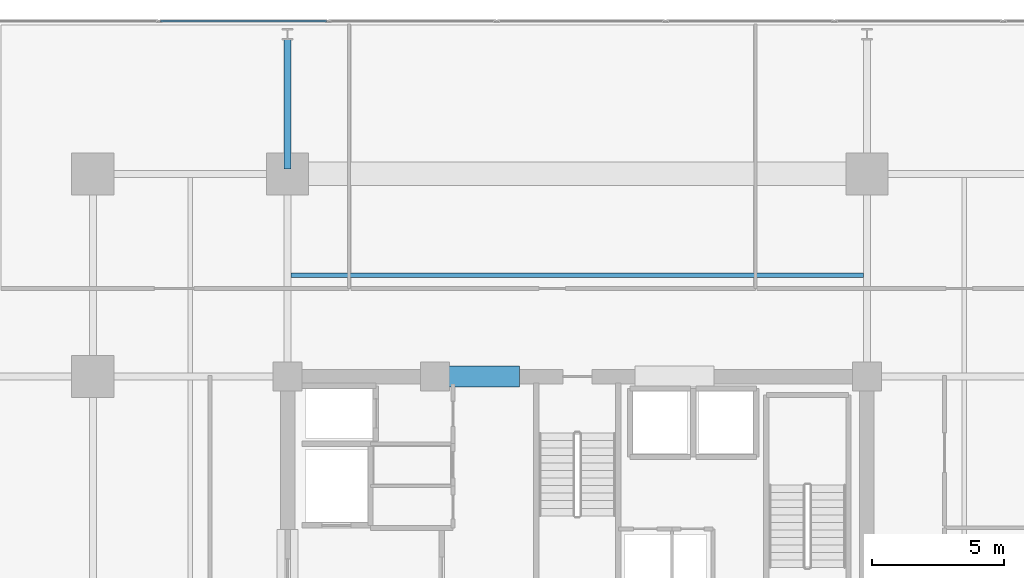
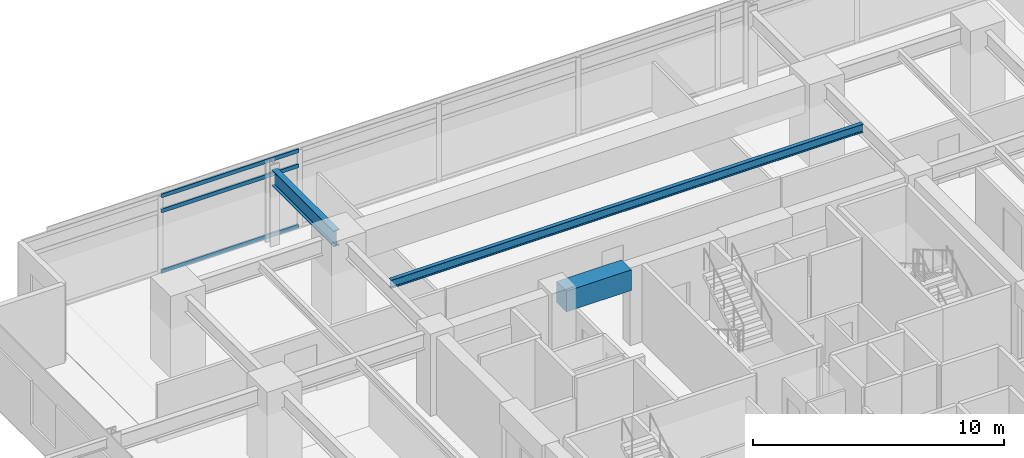
# One storey, part 7 of 23: 3 beams, 3 members, 1 element without a shape of its own.
"""IFC4 building model written with IfcOpenShell, lengths in metres."""

from ifc_helpers import new_model, si_unit, direction, frame, origin, origin_2d, place, context, subcontext, project, spatial, rectangle, hollow_rectangle, i_section, extrude, material, material_profile, profile_set, type_object, element, aggregate, save


model = new_model("IFC4")

# Units and contexts
model_context = context("Model", 3, precision=1e-05, world=origin(), true_north=direction((0.0, 1.0)))
body_context = subcontext(model_context, "Body", "Model", "MODEL_VIEW")
ifc_project = project(units=[si_unit("LENGTHUNIT", "METRE"), si_unit("AREAUNIT", "SQUARE_METRE"), si_unit("VOLUMEUNIT", "CUBIC_METRE"), si_unit("PLANEANGLEUNIT", "RADIAN"), si_unit("MASSUNIT", "GRAM", prefix="KILO")], contexts=[model_context])

# Site, building, storey
site_placement = place(None, origin())
site = spatial("IfcSite", under=ifc_project, at=site_placement, CompositionType="ELEMENT")
building_placement = place(site_placement, origin())
building = spatial("IfcBuilding", under=site, at=building_placement, Name="Kovane Verandah Tower", CompositionType="ELEMENT")
storey_placement = place(building_placement, frame((0.0, 0.0, 136.39990234375)))
storey = spatial("IfcBuildingStorey", under=building, at=storey_placement, Name="L31", CompositionType="ELEMENT", Elevation=136.39990234375)

# Beams
ifc_material_1 = material(Name="Concrete C60/75", Category="concrete")
ifc_material_profile_1 = material_profile(ifc_material_1, rectangle(XDim=0.800048828125, YDim=1.0, at=origin_2d()), Name="RCB800x1000")
ifc_profile_set_1 = profile_set([ifc_material_profile_1], Name="Concrete C60/75")
beam_type_1 = type_object("IfcBeamType", Name="BM-LINTEL-800x1000", PredefinedType="LINTEL", material=ifc_profile_set_1)
beam_1_placement = place(storey_placement, frame((34.800048828125, 36.5, 3.275146484375), z_axis=(1.0, 0.0, 0.0), x_axis=(0.0, 1.0, 0.0)))
element("IfcBeam", 1, at=beam_1_placement, inside=storey, type_object=beam_type_1, Name="L31 Core Coupling Lintel CL-N1", PredefinedType="LINTEL", context=body_context, shape_type="SweptSolid", body=[
    extrude(rectangle(XDim=0.800048828125, YDim=1.0, at=origin_2d()), origin(), (0.0, 0.0, 1.0), 3.0),
])
ifc_material_2 = material(Name="Steel S355", Category="steel")
ifc_material_profile_2 = material_profile(ifc_material_2, i_section(OverallWidth=0.26806640625, OverallDepth=0.769775390625, WebThickness=0.015625, FlangeThickness=0.025390625, FilletRadius=0.0166015625, at=origin_2d()), Name="UB762x267x197")
ifc_profile_set_2 = profile_set([ifc_material_profile_2], Name="Steel S355")
beam_type_2 = type_object("IfcBeamType", Name="BM-UB762x197", PredefinedType="BEAM", material=ifc_profile_set_2)
beam_2_placement = place(storey_placement, frame((29.0, 44.3798828125, 3.375244140625), z_axis=(0.0, 1.0, 0.0), x_axis=(-1.0, 0.0, 0.0)))
element("IfcBeam", 2, at=beam_2_placement, inside=storey, type_object=beam_type_2, Name="L31 Primary Tower Girder G-VN1", PredefinedType="BEAM", context=body_context, shape_type="SweptSolid", body=[
    extrude(i_section(OverallWidth=0.26806640625, OverallDepth=0.769775390625, WebThickness=0.015625, FlangeThickness=0.025390625, FilletRadius=0.0166015625, at=origin_2d()), origin(), (0.0, 0.0, 1.0), 4.940185546875),
])

# Curtain wall, members
ifc_material_3 = material(Name="Champagne Anodised Aluminium Frame with Low-E Clear Laminated Glass", Category="aluminium")
curtain_wall_type = type_object("IfcCurtainWallType", Name="CW-SYS-03-MID", PredefinedType="NOTDEFINED", material=ifc_material_3)
curtain_wall_placement = place(storey_placement, origin())
curtain_wall = element("IfcCurtainWall", 3, at=curtain_wall_placement, inside=storey, type_object=curtain_wall_type, Name="L31 N Unitised Curtain Wall", PredefinedType="NOTDEFINED")
ifc_material_4 = material(Name="Champagne Anodised Aluminium 6063-T6", Category="aluminium")
ifc_material_profile_3 = material_profile(ifc_material_4, hollow_rectangle(XDim=0.0849609375, YDim=0.18994140625, WallThickness=0.00390625, at=origin_2d()), Name="AL85x190x4")
ifc_profile_set_3 = profile_set([ifc_material_profile_3], Name="Champagne Anodised Aluminium 6063-T6")
member_type = type_object("IfcMemberType", Name="CW-TRN-85x190", PredefinedType="USERDEFINED", material=ifc_profile_set_3)
member_1_placement = place(storey_placement, frame((30.4853515625, 50.00048828125, 0.050048828125), z_axis=(-1.0, 0.0, 0.0), x_axis=(0.0, -1.0, 0.0)))
member_1 = element("IfcMember", 4, at=member_1_placement, type_object=member_type, Name="L31 N Unitised Curtain Wall Transom TB Bay 6", ObjectType="TRANSOM", PredefinedType="USERDEFINED", context=body_context, shape_type="SweptSolid", body=[
    extrude(hollow_rectangle(XDim=0.0849609375, YDim=0.18994140625, WallThickness=0.00390625, at=origin_2d()), origin(), (0.0, 0.0, 1.0), 6.310791015625),
])
member_2_placement = place(storey_placement, frame((30.4853515625, 50.00048828125, 2.9951171875), z_axis=(-1.0, 0.0, 0.0), x_axis=(0.0, -1.0, 0.0)))
member_2 = element("IfcMember", 5, at=member_2_placement, type_object=member_type, Name="L31 N Unitised Curtain Wall Transom TM Bay 6", ObjectType="TRANSOM", PredefinedType="USERDEFINED", context=body_context, shape_type="SweptSolid", body=[
    extrude(hollow_rectangle(XDim=0.0849609375, YDim=0.18994140625, WallThickness=0.00390625, at=origin_2d()), origin(), (0.0, 0.0, 1.0), 6.310791015625),
])
member_3_placement = place(storey_placement, frame((30.4853515625, 50.00048828125, 3.72509765625), z_axis=(-1.0, 0.0, 0.0), x_axis=(0.0, -1.0, 0.0)))
member_3 = element("IfcMember", 6, at=member_3_placement, type_object=member_type, Name="L31 N Unitised Curtain Wall Transom TT Bay 6", ObjectType="TRANSOM", PredefinedType="USERDEFINED", context=body_context, shape_type="SweptSolid", body=[
    extrude(hollow_rectangle(XDim=0.0849609375, YDim=0.18994140625, WallThickness=0.00390625, at=origin_2d()), origin(), (0.0, 0.0, 1.0), 6.310791015625),
])
aggregate(curtain_wall, [member_1, member_2, member_3])

# Beam
ifc_material_profile_4 = material_profile(ifc_material_2, i_section(OverallWidth=0.179443359375, OverallDepth=0.412841796875, WebThickness=0.009521484375, FlangeThickness=0.01611328125, FilletRadius=0.01025390625, at=origin_2d()), Name="UB406x178x74")
ifc_profile_set_4 = profile_set([ifc_material_profile_4], Name="Steel S355")
beam_type_3 = type_object("IfcBeamType", Name="JST-UB406x74", PredefinedType="JOIST", material=ifc_profile_set_4)
beam_3_placement = place(storey_placement, frame((29.132080078125, 40.35009765625, 3.568603515625), z_axis=(1.0, 0.0, 0.0), x_axis=(0.0, 1.0, 0.0)))
element("IfcBeam", 7, at=beam_3_placement, inside=storey, type_object=beam_type_3, Name="L31 Secondary Composite Joist J-N1", PredefinedType="JOIST", context=body_context, shape_type="SweptSolid", body=[
    extrude(i_section(OverallWidth=0.179443359375, OverallDepth=0.412841796875, WebThickness=0.009521484375, FlangeThickness=0.01611328125, FilletRadius=0.01025390625, at=origin_2d()), origin(), (0.0, 0.0, 1.0), 21.73583984375),
])

save(model, "model.ifc")
